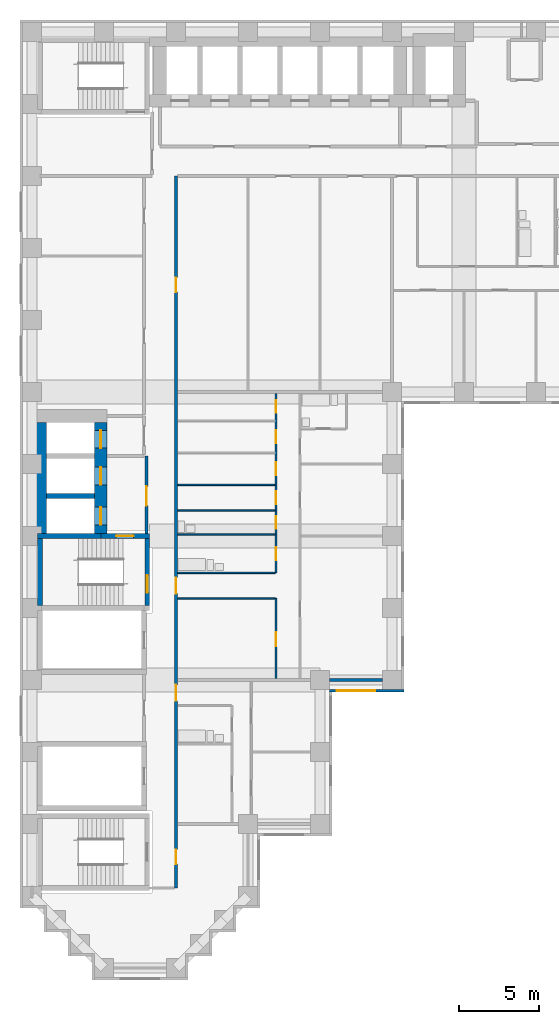
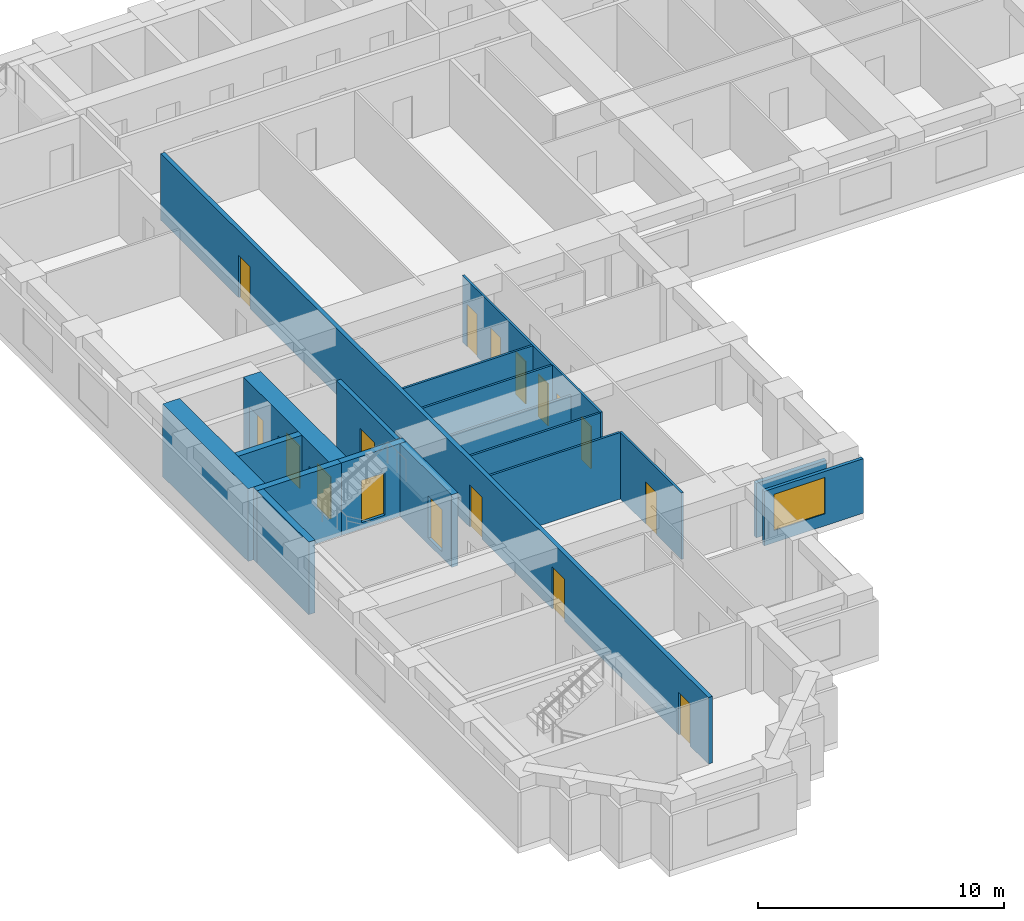
# One storey, part 3 of 12: 18 walls, 17 doors, 1 window, 18 openings.
"""IFC4 building model written with IfcOpenShell, lengths in metres."""

from ifc_helpers import new_model, si_unit, direction, frame, frame_2d, origin, place, context, subcontext, project, spatial, rectangle, extrude, material, layer, layer_set, type_object, element, fill, save


model = new_model("IFC4")

# Units and contexts
model_context = context("Model", 3, precision=1e-05, world=origin(), true_north=direction((0.0, 1.0)))
body_context = subcontext(model_context, "Body", "Model", "MODEL_VIEW")
ifc_project = project(units=[si_unit("LENGTHUNIT", "METRE"), si_unit("AREAUNIT", "SQUARE_METRE"), si_unit("VOLUMEUNIT", "CUBIC_METRE"), si_unit("PLANEANGLEUNIT", "RADIAN"), si_unit("MASSUNIT", "GRAM", prefix="KILO")], contexts=[model_context])

# Site, building, storey
site_placement = place(None, origin())
site = spatial("IfcSite", under=ifc_project, at=site_placement, CompositionType="ELEMENT")
building_placement = place(site_placement, origin())
building = spatial("IfcBuilding", under=site, at=building_placement, Name="Firuza Court", CompositionType="ELEMENT")
storey_placement = place(building_placement, frame((0.0, 0.0, 97.39990234375)))
storey = spatial("IfcBuildingStorey", under=building, at=storey_placement, Name="L24", CompositionType="ELEMENT", Elevation=97.39990234375)

# Walls
ifc_material_1 = material(Name="Moisture-resistant gypsum board partition")
ifc_layer_1 = layer(ifc_material_1, 0.10009765625)
ifc_layer_set_1 = layer_set([ifc_layer_1], Name="Moisture-resistant gypsum board partition")
wall_type_1 = type_object("IfcWallType", Name="Bathroom partition 100", PredefinedType="PLUMBINGWALL", material=ifc_layer_set_1)
wall_1_placement = place(storey_placement, frame((9.10009765625, 24.699951171875, 0.0), z_axis=(0.0, 0.0, 1.0), x_axis=(1.0, 0.0, 0.0)))
element("IfcWall", 1, at=wall_1_placement, inside=storey, type_object=wall_type_1, Name="Bathroom partition 100 L24", PredefinedType="PLUMBINGWALL", context=body_context, shape_type="SweptSolid", body=[
    extrude(rectangle(XDim=6.099853515625, YDim=0.10009765625, at=frame_2d((3.0498046875, 0.0))), origin(), (0.0, 0.0, 1.0), 3.300048828125),
])
wall_2_placement = place(storey_placement, frame((9.10009765625, 27.10009765625, 0.0), z_axis=(0.0, 0.0, 1.0), x_axis=(1.0, 0.0, 0.0)))
element("IfcWall", 2, at=wall_2_placement, inside=storey, type_object=wall_type_1, Name="Bathroom partition 100 L24", PredefinedType="PLUMBINGWALL", context=body_context, shape_type="SweptSolid", body=[
    extrude(rectangle(XDim=6.099853515625, YDim=0.10009765625, at=frame_2d((3.0498046875, 0.0))), origin(), (0.0, 0.0, 1.0), 2.7001953125),
])
wall_3_placement = place(storey_placement, frame((9.10009765625, 28.60009765625, 0.0), z_axis=(0.0, 0.0, 1.0), x_axis=(1.0, 0.0, 0.0)))
element("IfcWall", 3, at=wall_3_placement, inside=storey, type_object=wall_type_1, Name="Bathroom partition 100 L24", PredefinedType="PLUMBINGWALL", context=body_context, shape_type="SweptSolid", body=[
    extrude(rectangle(XDim=6.099853515625, YDim=0.10009765625, at=frame_2d((3.0498046875, 0.0))), origin(), (0.0, 0.0, 1.0), 3.300048828125),
])
ifc_material_2 = material(Name="Concrete C60/75", Category="concrete")
ifc_layer_2 = layer(ifc_material_2, 0.300048828125)
ifc_layer_set_2 = layer_set([ifc_layer_2], Name="Concrete C60/75")
wall_type_2 = type_object("IfcWallType", Name="Core wall 300 C60/75", PredefinedType="SHEAR", material=ifc_layer_set_2)
wall_4_placement = place(storey_placement, frame((0.35009765625, 27.0, -0.2998046875), z_axis=(0.0, 0.0, 1.0), x_axis=(1.0, 0.0, 0.0)))
element("IfcWall", 4, at=wall_4_placement, inside=storey, type_object=wall_type_2, Name="Core wall lift shaft L24", PredefinedType="SHEAR", context=body_context, shape_type="SweptSolid", body=[
    extrude(rectangle(XDim=3.949951171875, YDim=0.300048828125, at=frame_2d((1.97509765625, 0.0))), origin(), (0.0, 0.0, 1.0), 3.599853515625),
])
wall_5_placement = place(storey_placement, frame((0.5, 22.64990234375, -0.2998046875), z_axis=(0.0, 0.0, 1.0), x_axis=(0.0, 1.0, 0.0)))
element("IfcWall", 5, at=wall_5_placement, inside=storey, type_object=wall_type_2, Name="Core wall stair L24", PredefinedType="SHEAR", context=body_context, shape_type="SweptSolid", body=[
    extrude(rectangle(XDim=4.2001953125, YDim=0.300048828125, at=frame_2d((2.10009765625, 0.0))), origin(), (0.0, 0.0, 1.0), 3.599853515625),
])
wall_6_placement = place(storey_placement, frame((0.89990234375, 29.5, -0.2998046875), z_axis=(0.0, 0.0, 1.0), x_axis=(1.0, 0.0, 0.0)))
element("IfcWall", 6, at=wall_6_placement, inside=storey, type_object=wall_type_2, Name="Core wall lift shaft L24", PredefinedType="SHEAR", context=body_context, shape_type="SweptSolid", body=[
    extrude(rectangle(XDim=3.0, YDim=0.300048828125, at=frame_2d((1.5, 0.0))), origin(), (0.0, 0.0, 1.0), 3.599853515625),
])

# Wall, opening, door
wall_7_placement = place(storey_placement, frame((4.300048828125, 27.0, -0.2998046875), z_axis=(0.0, 0.0, 1.0), x_axis=(1.0, 0.0, 0.0)))
wall_7 = element("IfcWall", 7, at=wall_7_placement, inside=storey, type_object=wall_type_2, Name="Core wall stair L24", PredefinedType="SHEAR", context=body_context, shape_type="SweptSolid", body=[
    extrude(rectangle(XDim=3.050048828125, YDim=0.300048828125, at=frame_2d((1.52490234375, 0.0))), origin(), (0.0, 0.0, 1.0), 3.599853515625),
])
opening_1_placement = place(wall_7_placement, frame((0.949951171875, 0.0, 0.300048828125)))
opening_1 = element("IfcOpeningElement", 8, at=opening_1_placement, cuts=wall_7, Name="Opening D24014", PredefinedType="OPENING", context=body_context, shape_type="SweptSolid", body=[
    extrude(rectangle(XDim=1.10009765625, YDim=2.10009765625, at=frame_2d((0.550048828125, 1.050048828125))), frame((0.0, 0.162109375, 0.0), z_axis=(0.0, -1.0, 0.0), x_axis=(1.0, 0.0, 0.0)), (0.0, 0.0, 1.0), 0.323974609375),
])
ifc_material_3 = material(Name="Timber door leaf in hardwood frame", Category="wood")
door_type_1 = type_object("IfcDoorType", Name="Stair door 1100", OperationType="SINGLE_SWING_LEFT", PredefinedType="DOOR", material=ifc_material_3)
door_1_placement = place(opening_1_placement, frame((1.10009765625, 0.0, 0.0), z_axis=(0.0, 0.0, 1.0), x_axis=(-1.0, 0.0, 0.0)))
door_1 = element("IfcDoor", 9, at=door_1_placement, inside=storey, type_object=door_type_1, Name="Fire-fighting lobby door", OperationType="SINGLE_SWING_LEFT", OverallHeight=2.10009765625, OverallWidth=1.10009765625, PredefinedType="DOOR", context=body_context, shape_type="SweptSolid", body=[
    extrude(rectangle(XDim=1.10009765625, YDim=2.10009765625, at=frame_2d((0.550048828125, 1.050048828125))), frame((0.0, 0.02490234375, 0.0), z_axis=(0.0, -1.0, 0.0), x_axis=(1.0, 0.0, 0.0)), (0.0, 0.0, 1.0), 0.050048828125),
])
fill(opening_1, door_1)

wall_8_placement = place(storey_placement, frame((7.199951171875, 22.64990234375, -0.2998046875), z_axis=(0.0, 0.0, 1.0), x_axis=(0.0, 1.0, 0.0)))
wall_8 = element("IfcWall", 10, at=wall_8_placement, inside=storey, type_object=wall_type_2, Name="Core wall stair L24", PredefinedType="SHEAR", context=body_context, shape_type="SweptSolid", body=[
    extrude(rectangle(XDim=4.2001953125, YDim=0.300048828125, at=frame_2d((2.10009765625, 0.0))), origin(), (0.0, 0.0, 1.0), 3.599853515625),
])
opening_2_placement = place(wall_8_placement, frame((0.800048828125, 0.0, 0.300048828125)))
opening_2 = element("IfcOpeningElement", 11, at=opening_2_placement, cuts=wall_8, Name="Opening D24015", PredefinedType="OPENING", context=body_context, shape_type="SweptSolid", body=[
    extrude(rectangle(XDim=1.10009765625, YDim=2.10009765625, at=frame_2d((0.550048828125, 1.050048828125))), frame((0.0, 0.162109375, 0.0), z_axis=(0.0, -1.0, 0.0), x_axis=(1.0, 0.0, 0.0)), (0.0, 0.0, 1.0), 0.323974609375),
])
door_2_placement = place(opening_2_placement, origin())
door_2 = element("IfcDoor", 12, at=door_2_placement, inside=storey, type_object=door_type_1, Name="Stair door S2", OperationType="SINGLE_SWING_LEFT", OverallHeight=2.10009765625, OverallWidth=1.10009765625, PredefinedType="DOOR", context=body_context, shape_type="SweptSolid", body=[
    extrude(rectangle(XDim=1.10009765625, YDim=2.10009765625, at=frame_2d((0.550048828125, 1.050048828125))), frame((0.0, 0.02490234375, 0.0), z_axis=(0.0, -1.0, 0.0), x_axis=(1.0, 0.0, 0.0)), (0.0, 0.0, 1.0), 0.050048828125),
])
fill(opening_2, door_2)

# Wall
ifc_layer_3 = layer(ifc_material_2, 0.800048828125)
ifc_layer_set_3 = layer_set([ifc_layer_3], Name="Concrete C60/75")
wall_type_3 = type_object("IfcWallType", Name="Core wall 800 C60/75", PredefinedType="SHEAR", material=ifc_layer_set_3)
wall_9_placement = place(storey_placement, frame((0.5, 27.14990234375, -0.2998046875), z_axis=(0.0, 0.0, 1.0), x_axis=(0.0, 1.0, 0.0)))
element("IfcWall", 13, at=wall_9_placement, inside=storey, type_object=wall_type_3, Name="Core wall lift shaft L24", PredefinedType="SHEAR", context=body_context, shape_type="SweptSolid", body=[
    extrude(rectangle(XDim=6.9501953125, YDim=0.800048828125, at=frame_2d((3.47509765625, 0.0))), origin(), (0.0, 0.0, 1.0), 3.599853515625),
])

# Wall, openings, doors
wall_10_placement = place(storey_placement, frame((4.300048828125, 27.14990234375, -0.2998046875), z_axis=(0.0, 0.0, 1.0), x_axis=(0.0, 1.0, 0.0)))
wall_10 = element("IfcWall", 14, at=wall_10_placement, inside=storey, type_object=wall_type_3, Name="Core wall lift shaft L24", PredefinedType="SHEAR", context=body_context, shape_type="SweptSolid", body=[
    extrude(rectangle(XDim=6.9501953125, YDim=0.800048828125, at=frame_2d((3.47509765625, 0.0))), origin(), (0.0, 0.0, 1.0), 3.599853515625),
])
opening_3_placement = place(wall_10_placement, frame((3.050048828125, 0.0, 0.300048828125)))
opening_3 = element("IfcOpeningElement", 15, at=opening_3_placement, cuts=wall_10, Name="Opening LD-FL1-24", PredefinedType="OPENING", context=body_context, shape_type="SweptSolid", body=[
    extrude(rectangle(XDim=1.10009765625, YDim=2.10009765625, at=frame_2d((0.550048828125, 1.050048828125))), frame((0.0, 0.412109375, 0.0), z_axis=(0.0, -1.0, 0.0), x_axis=(1.0, 0.0, 0.0)), (0.0, 0.0, 1.0), 0.823974609375),
])
opening_4_placement = place(wall_10_placement, frame((0.550048828125, 0.0, 0.300048828125)))
opening_4 = element("IfcOpeningElement", 16, at=opening_4_placement, cuts=wall_10, Name="Opening LD-FL2-24", PredefinedType="OPENING", context=body_context, shape_type="SweptSolid", body=[
    extrude(rectangle(XDim=1.10009765625, YDim=2.10009765625, at=frame_2d((0.550048828125, 1.050048828125))), frame((0.0, 0.412109375, 0.0), z_axis=(0.0, -1.0, 0.0), x_axis=(1.0, 0.0, 0.0)), (0.0, 0.0, 1.0), 0.823974609375),
])
opening_5_placement = place(wall_10_placement, frame((5.35009765625, 0.0, 0.300048828125)))
opening_5 = element("IfcOpeningElement", 17, at=opening_5_placement, cuts=wall_10, Name="Opening LD-SL1-24", PredefinedType="OPENING", context=body_context, shape_type="SweptSolid", body=[
    extrude(rectangle(XDim=1.10009765625, YDim=2.10009765625, at=frame_2d((0.550048828125, 1.050048828125))), frame((0.0, 0.412109375, 0.0), z_axis=(0.0, -1.0, 0.0), x_axis=(1.0, 0.0, 0.0)), (0.0, 0.0, 1.0), 0.823974609375),
])
ifc_material_4 = material(Name="Stainless steel 1.4301 door leaf", Category="steel")
door_type_2 = type_object("IfcDoorType", Name="Lift landing door 1100", OperationType="SLIDING_TO_LEFT", PredefinedType="DOOR", material=ifc_material_4)
door_3_placement = place(opening_3_placement, origin())
door_3 = element("IfcDoor", 18, at=door_3_placement, inside=storey, type_object=door_type_2, Name="Landing door FL1", OperationType="SLIDING_TO_LEFT", OverallHeight=2.10009765625, OverallWidth=1.10009765625, PredefinedType="DOOR", context=body_context, shape_type="SweptSolid", body=[
    extrude(rectangle(XDim=1.10009765625, YDim=2.10009765625, at=frame_2d((0.550048828125, 1.050048828125))), frame((0.0, 0.02490234375, 0.0), z_axis=(0.0, -1.0, 0.0), x_axis=(1.0, 0.0, 0.0)), (0.0, 0.0, 1.0), 0.050048828125),
])
fill(opening_3, door_3)
door_4_placement = place(opening_4_placement, origin())
door_4 = element("IfcDoor", 19, at=door_4_placement, inside=storey, type_object=door_type_2, Name="Landing door FL2", OperationType="SLIDING_TO_LEFT", OverallHeight=2.10009765625, OverallWidth=1.10009765625, PredefinedType="DOOR", context=body_context, shape_type="SweptSolid", body=[
    extrude(rectangle(XDim=1.10009765625, YDim=2.10009765625, at=frame_2d((0.550048828125, 1.050048828125))), frame((0.0, 0.02490234375, 0.0), z_axis=(0.0, -1.0, 0.0), x_axis=(1.0, 0.0, 0.0)), (0.0, 0.0, 1.0), 0.050048828125),
])
fill(opening_4, door_4)
door_5_placement = place(opening_5_placement, origin())
door_5 = element("IfcDoor", 20, at=door_5_placement, inside=storey, type_object=door_type_2, Name="Landing door SL1", OperationType="SLIDING_TO_LEFT", OverallHeight=2.10009765625, OverallWidth=1.10009765625, PredefinedType="DOOR", context=body_context, shape_type="SweptSolid", body=[
    extrude(rectangle(XDim=1.10009765625, YDim=2.10009765625, at=frame_2d((0.550048828125, 1.050048828125))), frame((0.0, 0.02490234375, 0.0), z_axis=(0.0, -1.0, 0.0), x_axis=(1.0, 0.0, 0.0)), (0.0, 0.0, 1.0), 0.050048828125),
])
fill(opening_5, door_5)

ifc_material_5 = material(Name="Blockwork, plastered both sides", Category="masonry")
ifc_layer_4 = layer(ifc_material_5, 0.199951171875)
ifc_layer_set_4 = layer_set([ifc_layer_4], Name="Blockwork, plastered both sides")
wall_type_4 = type_object("IfcWallType", Name="Corridor wall 200", PredefinedType="PARTITIONING", material=ifc_layer_set_4)
wall_11_placement = place(storey_placement, frame((9.0, 5.0, 0.0), z_axis=(0.0, 0.0, 1.0), x_axis=(0.0, 1.0, 0.0)))
wall_11 = element("IfcWall", 21, at=wall_11_placement, inside=storey, type_object=wall_type_4, Name="Corridor wall 200 L24", PredefinedType="PARTITIONING", context=body_context, shape_type="SweptSolid", body=[
    extrude(rectangle(XDim=44.5, YDim=0.199951171875, at=frame_2d((22.25, 0.0))), origin(), (0.0, 0.0, 1.0), 3.300048828125),
])
opening_6_placement = place(wall_11_placement, frame((18.39990234375, 0.0, 0.0)))
opening_6 = element("IfcOpeningElement", 22, at=opening_6_placement, cuts=wall_11, Name="Opening D24019", PredefinedType="OPENING", context=body_context, shape_type="SweptSolid", body=[
    extrude(rectangle(XDim=1.0, YDim=2.10009765625, at=frame_2d((0.5, 1.050048828125))), frame((0.0, 0.11181640625, 0.0), z_axis=(0.0, -1.0, 0.0), x_axis=(1.0, 0.0, 0.0)), (0.0, 0.0, 1.0), 0.223876953125),
])
opening_7_placement = place(wall_11_placement, frame((11.699951171875, 0.0, 0.0)))
opening_7 = element("IfcOpeningElement", 23, at=opening_7_placement, cuts=wall_11, Name="Opening D24020", PredefinedType="OPENING", context=body_context, shape_type="SweptSolid", body=[
    extrude(rectangle(XDim=1.0, YDim=2.10009765625, at=frame_2d((0.5, 1.050048828125))), frame((0.0, 0.11181640625, 0.0), z_axis=(0.0, -1.0, 0.0), x_axis=(1.0, 0.0, 0.0)), (0.0, 0.0, 1.0), 0.223876953125),
])
opening_8_placement = place(wall_11_placement, frame((37.25, 0.0, 0.0)))
opening_8 = element("IfcOpeningElement", 24, at=opening_8_placement, cuts=wall_11, Name="Opening D24021", PredefinedType="OPENING", context=body_context, shape_type="SweptSolid", body=[
    extrude(rectangle(XDim=0.89990234375, YDim=2.10009765625, at=frame_2d((0.449951171875, 1.050048828125))), frame((0.0, 0.11181640625, 0.0), z_axis=(0.0, -1.0, 0.0), x_axis=(1.0, 0.0, 0.0)), (0.0, 0.0, 1.0), 0.223876953125),
])
opening_9_placement = place(wall_11_placement, frame((1.5, 0.0, 0.0)))
opening_9 = element("IfcOpeningElement", 25, at=opening_9_placement, cuts=wall_11, Name="Opening D24022", PredefinedType="OPENING", context=body_context, shape_type="SweptSolid", body=[
    extrude(rectangle(XDim=0.89990234375, YDim=2.10009765625, at=frame_2d((0.449951171875, 1.050048828125))), frame((0.0, 0.11181640625, 0.0), z_axis=(0.0, -1.0, 0.0), x_axis=(1.0, 0.0, 0.0)), (0.0, 0.0, 1.0), 0.223876953125),
])
ifc_material_6 = material(Name="Timber door leaf in hardwood frame", Category="wood")
door_type_3 = type_object("IfcDoorType", Name="Flat entrance door 1000", OperationType="SINGLE_SWING_LEFT", PredefinedType="DOOR", material=ifc_material_6)
door_6_placement = place(opening_6_placement, origin())
door_6 = element("IfcDoor", 26, at=door_6_placement, inside=storey, type_object=door_type_3, Name="Flat entrance door", OperationType="SINGLE_SWING_LEFT", OverallHeight=2.10009765625, OverallWidth=1.0, PredefinedType="DOOR", context=body_context, shape_type="SweptSolid", body=[
    extrude(rectangle(XDim=1.0, YDim=2.10009765625, at=frame_2d((0.5, 1.050048828125))), frame((0.0, 0.02490234375, 0.0), z_axis=(0.0, -1.0, 0.0), x_axis=(1.0, 0.0, 0.0)), (0.0, 0.0, 1.0), 0.050048828125),
])
fill(opening_6, door_6)
door_7_placement = place(opening_7_placement, origin())
door_7 = element("IfcDoor", 27, at=door_7_placement, inside=storey, type_object=door_type_3, Name="Flat entrance door", OperationType="SINGLE_SWING_LEFT", OverallHeight=2.10009765625, OverallWidth=1.0, PredefinedType="DOOR", context=body_context, shape_type="SweptSolid", body=[
    extrude(rectangle(XDim=1.0, YDim=2.10009765625, at=frame_2d((0.5, 1.050048828125))), frame((0.0, 0.02490234375, 0.0), z_axis=(0.0, -1.0, 0.0), x_axis=(1.0, 0.0, 0.0)), (0.0, 0.0, 1.0), 0.050048828125),
])
fill(opening_7, door_7)
ifc_material_7 = material(Name="Timber door leaf in hardwood frame", Category="wood")
door_type_4 = type_object("IfcDoorType", Name="Room door 900 EI 30", OperationType="SINGLE_SWING_LEFT", PredefinedType="DOOR", material=ifc_material_7)
door_8_placement = place(opening_8_placement, origin())
door_8 = element("IfcDoor", 28, at=door_8_placement, inside=storey, type_object=door_type_4, Name="Yoga studio door", OperationType="SINGLE_SWING_LEFT", OverallHeight=2.10009765625, OverallWidth=0.89990234375, PredefinedType="DOOR", context=body_context, shape_type="SweptSolid", body=[
    extrude(rectangle(XDim=0.89990234375, YDim=2.10009765625, at=frame_2d((0.449951171875, 1.050048828125))), frame((0.0, 0.02490234375, 0.0), z_axis=(0.0, -1.0, 0.0), x_axis=(1.0, 0.0, 0.0)), (0.0, 0.0, 1.0), 0.050048828125),
])
fill(opening_8, door_8)
door_9_placement = place(opening_9_placement, origin())
door_9 = element("IfcDoor", 29, at=door_9_placement, inside=storey, type_object=door_type_4, Name="Residents' lounge door", OperationType="SINGLE_SWING_LEFT", OverallHeight=2.10009765625, OverallWidth=0.89990234375, PredefinedType="DOOR", context=body_context, shape_type="SweptSolid", body=[
    extrude(rectangle(XDim=0.89990234375, YDim=2.10009765625, at=frame_2d((0.449951171875, 1.050048828125))), frame((0.0, 0.02490234375, 0.0), z_axis=(0.0, -1.0, 0.0), x_axis=(1.0, 0.0, 0.0)), (0.0, 0.0, 1.0), 0.050048828125),
])
fill(opening_9, door_9)

# Wall, opening, door
ifc_material_8 = material(Name="Timber stud partition, plasterboard both sides", Category="wood")
ifc_layer_5 = layer(ifc_material_8, 0.10009765625)
ifc_layer_set_5 = layer_set([ifc_layer_5], Name="Timber stud partition, plasterboard both sides")
wall_type_5 = type_object("IfcWallType", Name="Partition wall 100", PredefinedType="PARTITIONING", material=ifc_layer_set_5)
wall_12_placement = place(storey_placement, frame((15.25, 18.10009765625, 0.0), z_axis=(0.0, 0.0, 1.0), x_axis=(0.0, 1.0, 0.0)))
wall_12 = element("IfcWall", 30, at=wall_12_placement, inside=storey, type_object=wall_type_5, Name="Partition wall 100 L24", PredefinedType="PARTITIONING", context=body_context, shape_type="SweptSolid", body=[
    extrude(rectangle(XDim=5.0, YDim=0.10009765625, at=frame_2d((2.5, 0.0))), origin(), (0.0, 0.0, 1.0), 3.300048828125),
])
opening_10_placement = place(wall_12_placement, frame((2.0, 0.0, 0.0)))
opening_10 = element("IfcOpeningElement", 31, at=opening_10_placement, cuts=wall_12, Name="Opening D24028", PredefinedType="OPENING", context=body_context, shape_type="SweptSolid", body=[
    extrude(rectangle(XDim=0.89990234375, YDim=2.10009765625, at=frame_2d((0.449951171875, 1.050048828125))), frame((0.0, 0.06201171875, 0.0), z_axis=(0.0, -1.0, 0.0), x_axis=(1.0, 0.0, 0.0)), (0.0, 0.0, 1.0), 0.1240234375),
])
ifc_material_9 = material(Name="Timber door leaf in hardwood frame", Category="wood")
door_type_5 = type_object("IfcDoorType", Name="Room door 900", OperationType="SINGLE_SWING_LEFT", PredefinedType="DOOR", material=ifc_material_9)
door_10_placement = place(opening_10_placement, origin())
door_10 = element("IfcDoor", 32, at=door_10_placement, inside=storey, type_object=door_type_5, Name="Kitchen door", OperationType="SINGLE_SWING_LEFT", OverallHeight=2.10009765625, OverallWidth=0.89990234375, PredefinedType="DOOR", context=body_context, shape_type="SweptSolid", body=[
    extrude(rectangle(XDim=0.89990234375, YDim=2.10009765625, at=frame_2d((0.449951171875, 1.050048828125))), frame((0.0, 0.02490234375, 0.0), z_axis=(0.0, -1.0, 0.0), x_axis=(1.0, 0.0, 0.0)), (0.0, 0.0, 1.0), 0.050048828125),
])
fill(opening_10, door_10)

# Wall
wall_13_placement = place(storey_placement, frame((9.10009765625, 23.10009765625, 0.0), z_axis=(0.0, 0.0, 1.0), x_axis=(1.0, 0.0, 0.0)))
element("IfcWall", 33, at=wall_13_placement, inside=storey, type_object=wall_type_5, Name="Partition wall 100 L24", PredefinedType="PARTITIONING", context=body_context, shape_type="SweptSolid", body=[
    extrude(rectangle(XDim=6.099853515625, YDim=0.10009765625, at=frame_2d((3.0498046875, 0.0))), origin(), (0.0, 0.0, 1.0), 3.300048828125),
])

# Wall, openings, doors
wall_14_placement = place(storey_placement, frame((15.25, 24.699951171875, 0.0), z_axis=(0.0, 0.0, 1.0), x_axis=(0.0, 1.0, 0.0)))
wall_14 = element("IfcWall", 34, at=wall_14_placement, inside=storey, type_object=wall_type_5, Name="Partition wall 100 L24", PredefinedType="PARTITIONING", context=body_context, shape_type="SweptSolid", body=[
    extrude(rectangle(XDim=11.199951171875, YDim=0.10009765625, at=frame_2d((5.60009765625, 0.0))), origin(), (0.0, 0.0, 1.0), 3.300048828125),
])
opening_11_placement = place(wall_14_placement, frame((0.800048828125, 0.0, 0.0)))
opening_11 = element("IfcOpeningElement", 35, at=opening_11_placement, cuts=wall_14, Name="Opening D24032", PredefinedType="OPENING", context=body_context, shape_type="SweptSolid", body=[
    extrude(rectangle(XDim=0.800048828125, YDim=2.10009765625, at=frame_2d((0.39990234375, 1.050048828125))), frame((0.0, 0.06201171875, 0.0), z_axis=(0.0, -1.0, 0.0), x_axis=(1.0, 0.0, 0.0)), (0.0, 0.0, 1.0), 0.1240234375),
])
opening_12_placement = place(wall_14_placement, frame((8.10009765625, 0.0, 0.0)))
opening_12 = element("IfcOpeningElement", 36, at=opening_12_placement, cuts=wall_14, Name="Opening D24033", PredefinedType="OPENING", context=body_context, shape_type="SweptSolid", body=[
    extrude(rectangle(XDim=0.800048828125, YDim=2.10009765625, at=frame_2d((0.39990234375, 1.050048828125))), frame((0.0, 0.06201171875, 0.0), z_axis=(0.0, -1.0, 0.0), x_axis=(1.0, 0.0, 0.0)), (0.0, 0.0, 1.0), 0.1240234375),
])
opening_13_placement = place(wall_14_placement, frame((4.300048828125, 0.0, 0.0)))
opening_13 = element("IfcOpeningElement", 37, at=opening_13_placement, cuts=wall_14, Name="Opening D24034", PredefinedType="OPENING", context=body_context, shape_type="SweptSolid", body=[
    extrude(rectangle(XDim=0.800048828125, YDim=2.10009765625, at=frame_2d((0.39990234375, 1.050048828125))), frame((0.0, 0.06201171875, 0.0), z_axis=(0.0, -1.0, 0.0), x_axis=(1.0, 0.0, 0.0)), (0.0, 0.0, 1.0), 0.1240234375),
])
opening_14_placement = place(wall_14_placement, frame((6.10009765625, 0.0, 0.0)))
opening_14 = element("IfcOpeningElement", 38, at=opening_14_placement, cuts=wall_14, Name="Opening D24035", PredefinedType="OPENING", context=body_context, shape_type="SweptSolid", body=[
    extrude(rectangle(XDim=0.800048828125, YDim=2.10009765625, at=frame_2d((0.39990234375, 1.050048828125))), frame((0.0, 0.06201171875, 0.0), z_axis=(0.0, -1.0, 0.0), x_axis=(1.0, 0.0, 0.0)), (0.0, 0.0, 1.0), 0.1240234375),
])
opening_15_placement = place(wall_14_placement, frame((10.0, 0.0, 0.0)))
opening_15 = element("IfcOpeningElement", 39, at=opening_15_placement, cuts=wall_14, Name="Opening D24036", PredefinedType="OPENING", context=body_context, shape_type="SweptSolid", body=[
    extrude(rectangle(XDim=0.800048828125, YDim=2.10009765625, at=frame_2d((0.39990234375, 1.050048828125))), frame((0.0, 0.06201171875, 0.0), z_axis=(0.0, -1.0, 0.0), x_axis=(1.0, 0.0, 0.0)), (0.0, 0.0, 1.0), 0.1240234375),
])
opening_16_placement = place(wall_14_placement, frame((2.75, 0.0, 0.0)))
opening_16 = element("IfcOpeningElement", 40, at=opening_16_placement, cuts=wall_14, Name="Opening D24037", PredefinedType="OPENING", context=body_context, shape_type="SweptSolid", body=[
    extrude(rectangle(XDim=0.800048828125, YDim=2.10009765625, at=frame_2d((0.39990234375, 1.050048828125))), frame((0.0, 0.06201171875, 0.0), z_axis=(0.0, -1.0, 0.0), x_axis=(1.0, 0.0, 0.0)), (0.0, 0.0, 1.0), 0.1240234375),
])
ifc_material_10 = material(Name="Timber door leaf in hardwood frame", Category="wood")
door_type_6 = type_object("IfcDoorType", Name="Bathroom door 800", OperationType="SINGLE_SWING_LEFT", PredefinedType="DOOR", material=ifc_material_10)
door_11_placement = place(opening_11_placement, origin())
door_11 = element("IfcDoor", 41, at=door_11_placement, inside=storey, type_object=door_type_6, Name="Bathroom door", OperationType="SINGLE_SWING_LEFT", OverallHeight=2.10009765625, OverallWidth=0.800048828125, PredefinedType="DOOR", context=body_context, shape_type="SweptSolid", body=[
    extrude(rectangle(XDim=0.800048828125, YDim=2.10009765625, at=frame_2d((0.39990234375, 1.050048828125))), frame((0.0, 0.02490234375, 0.0), z_axis=(0.0, -1.0, 0.0), x_axis=(1.0, 0.0, 0.0)), (0.0, 0.0, 1.0), 0.050048828125),
])
fill(opening_11, door_11)
door_12_placement = place(opening_16_placement, origin())
door_12 = element("IfcDoor", 42, at=door_12_placement, inside=storey, type_object=door_type_6, Name="Powder room door", OperationType="SINGLE_SWING_LEFT", OverallHeight=2.10009765625, OverallWidth=0.800048828125, PredefinedType="DOOR", context=body_context, shape_type="SweptSolid", body=[
    extrude(rectangle(XDim=0.800048828125, YDim=2.10009765625, at=frame_2d((0.39990234375, 1.050048828125))), frame((0.0, 0.02490234375, 0.0), z_axis=(0.0, -1.0, 0.0), x_axis=(1.0, 0.0, 0.0)), (0.0, 0.0, 1.0), 0.050048828125),
])
fill(opening_16, door_12)
ifc_material_11 = material(Name="Timber door leaf in hardwood frame", Category="wood")
door_type_7 = type_object("IfcDoorType", Name="Room door 800", OperationType="SINGLE_SWING_LEFT", PredefinedType="DOOR", material=ifc_material_11)
door_13_placement = place(opening_12_placement, origin())
door_13 = element("IfcDoor", 43, at=door_13_placement, inside=storey, type_object=door_type_7, Name="Pantry door", OperationType="SINGLE_SWING_LEFT", OverallHeight=2.10009765625, OverallWidth=0.800048828125, PredefinedType="DOOR", context=body_context, shape_type="SweptSolid", body=[
    extrude(rectangle(XDim=0.800048828125, YDim=2.10009765625, at=frame_2d((0.39990234375, 1.050048828125))), frame((0.0, 0.02490234375, 0.0), z_axis=(0.0, -1.0, 0.0), x_axis=(1.0, 0.0, 0.0)), (0.0, 0.0, 1.0), 0.050048828125),
])
fill(opening_12, door_13)
door_14_placement = place(opening_13_placement, origin())
door_14 = element("IfcDoor", 44, at=door_14_placement, inside=storey, type_object=door_type_7, Name="Store door", OperationType="SINGLE_SWING_LEFT", OverallHeight=2.10009765625, OverallWidth=0.800048828125, PredefinedType="DOOR", context=body_context, shape_type="SweptSolid", body=[
    extrude(rectangle(XDim=0.800048828125, YDim=2.10009765625, at=frame_2d((0.39990234375, 1.050048828125))), frame((0.0, 0.02490234375, 0.0), z_axis=(0.0, -1.0, 0.0), x_axis=(1.0, 0.0, 0.0)), (0.0, 0.0, 1.0), 0.050048828125),
])
fill(opening_13, door_14)
door_15_placement = place(opening_14_placement, origin())
door_15 = element("IfcDoor", 45, at=door_15_placement, inside=storey, type_object=door_type_7, Name="Utility room door", OperationType="SINGLE_SWING_LEFT", OverallHeight=2.10009765625, OverallWidth=0.800048828125, PredefinedType="DOOR", context=body_context, shape_type="SweptSolid", body=[
    extrude(rectangle(XDim=0.800048828125, YDim=2.10009765625, at=frame_2d((0.39990234375, 1.050048828125))), frame((0.0, 0.02490234375, 0.0), z_axis=(0.0, -1.0, 0.0), x_axis=(1.0, 0.0, 0.0)), (0.0, 0.0, 1.0), 0.050048828125),
])
fill(opening_14, door_15)
door_16_placement = place(opening_15_placement, origin())
door_16 = element("IfcDoor", 46, at=door_16_placement, inside=storey, type_object=door_type_7, Name="Walk-in wardrobe door", OperationType="SINGLE_SWING_LEFT", OverallHeight=2.10009765625, OverallWidth=0.800048828125, PredefinedType="DOOR", context=body_context, shape_type="SweptSolid", body=[
    extrude(rectangle(XDim=0.800048828125, YDim=2.10009765625, at=frame_2d((0.39990234375, 1.050048828125))), frame((0.0, 0.02490234375, 0.0), z_axis=(0.0, -1.0, 0.0), x_axis=(1.0, 0.0, 0.0)), (0.0, 0.0, 1.0), 0.050048828125),
])
fill(opening_15, door_16)

# Walls
wall_15_placement = place(storey_placement, frame((9.10009765625, 30.199951171875, 0.0), z_axis=(0.0, 0.0, 1.0), x_axis=(1.0, 0.0, 0.0)))
element("IfcWall", 47, at=wall_15_placement, inside=storey, type_object=wall_type_5, Name="Partition wall 100 L24", PredefinedType="PARTITIONING", context=body_context, shape_type="SweptSolid", body=[
    extrude(rectangle(XDim=6.099853515625, YDim=0.10009765625, at=frame_2d((3.0498046875, 0.0))), origin(), (0.0, 0.0, 1.0), 3.300048828125),
])
ifc_layer_6 = layer(ifc_material_5, 0.199951171875)
ifc_layer_set_6 = layer_set([ifc_layer_6], Name="Blockwork, plastered both sides")
wall_type_6 = type_object("IfcWallType", Name="Party wall 200", PredefinedType="PARTITIONING", material=ifc_layer_set_6)
wall_16_placement = place(storey_placement, frame((18.60009765625, 18.0, 0.0), z_axis=(0.0, 0.0, 1.0), x_axis=(1.0, 0.0, 0.0)))
element("IfcWall", 48, at=wall_16_placement, inside=storey, type_object=wall_type_6, Name="Party wall 200 L24", PredefinedType="PARTITIONING", context=body_context, shape_type="SweptSolid", body=[
    extrude(rectangle(XDim=3.2998046875, YDim=0.199951171875, at=frame_2d((1.64990234375, 0.0))), origin(), (0.0, 0.0, 1.0), 2.7001953125),
])

# Wall, opening, window
ifc_material_12 = material(Name="Ceramic tile", Category="ceramic")
ifc_layer_7 = layer(ifc_material_12, 0.02001953125)
ifc_material_13 = material(Name="Mineral wool insulation", Category="insulation")
ifc_layer_8 = layer(ifc_material_13, 0.050048828125)
ifc_material_14 = material(Name="Concrete C40/50 precast", Category="concrete")
ifc_layer_9 = layer(ifc_material_14, 0.080078125)
ifc_layer_set_7 = layer_set([ifc_layer_7, ifc_layer_8, ifc_layer_9], Name="Concrete C40/50 precast")
wall_type_7 = type_object("IfcWallType", Name="Precast cladding wall with turquoise TILE PANEL face 150", PredefinedType="STANDARD", material=ifc_layer_set_7)
wall_17_placement = place(storey_placement, frame((18.60009765625, 17.324951171875, 0.0), z_axis=(0.0, 0.0, 1.0), x_axis=(1.0, 0.0, 0.0)))
wall_17 = element("IfcWall", 49, at=wall_17_placement, inside=storey, type_object=wall_type_7, Name="Facade wall L24 S", PredefinedType="STANDARD", context=body_context, shape_type="SweptSolid", body=[
    extrude(rectangle(XDim=4.64990234375, YDim=0.14990234375, at=frame_2d((2.324951171875, 0.0))), origin(), (0.0, 0.0, 1.0), 2.7001953125),
])
opening_17_placement = place(wall_17_placement, frame((0.449951171875, 0.0, 0.60009765625)))
opening_17 = element("IfcOpeningElement", 50, at=opening_17_placement, cuts=wall_17, Name="Opening W1", PredefinedType="OPENING", context=body_context, shape_type="SweptSolid", body=[
    extrude(rectangle(XDim=2.39990234375, YDim=1.800048828125, at=frame_2d((1.199951171875, 0.89990234375))), frame((0.0, 0.0869140625, 0.0), z_axis=(0.0, -1.0, 0.0), x_axis=(1.0, 0.0, 0.0)), (0.0, 0.0, 1.0), 0.173828125),
])
ifc_material_15 = material(Name="Aluminium frame, triple clear glazing", Category="aluminium")
window_type = type_object("IfcWindowType", Name="Window W1 2400 x 1800", PartitioningType="SINGLE_PANEL", PredefinedType="WINDOW", material=ifc_material_15)
window_placement = place(opening_17_placement, origin())
window = element("IfcWindow", 51, at=window_placement, inside=storey, type_object=window_type, Name="Window L24", OverallHeight=1.800048828125, OverallWidth=2.39990234375, PartitioningType="SINGLE_PANEL", PredefinedType="WINDOW", context=body_context, shape_type="SweptSolid", body=[
    extrude(rectangle(XDim=2.39990234375, YDim=1.800048828125, at=frame_2d((1.199951171875, 0.89990234375))), frame((0.0, 0.030029296875, 0.0), z_axis=(0.0, -1.0, 0.0), x_axis=(1.0, 0.0, 0.0)), (0.0, 0.0, 1.0), 0.06005859375),
])
fill(opening_17, window)

# Wall, opening, door
ifc_material_16 = material(Name="Blockwork, fire-rated", Category="masonry")
ifc_layer_10 = layer(ifc_material_16, 0.199951171875)
ifc_layer_set_8 = layer_set([ifc_layer_10], Name="Blockwork, fire-rated")
wall_type_8 = type_object("IfcWallType", Name="Shaft wall 200", PredefinedType="PARTITIONING", material=ifc_layer_set_8)
wall_18_placement = place(storey_placement, frame((7.14990234375, 27.169921875, 0.0), z_axis=(0.0, 0.0, 1.0), x_axis=(0.0, 1.0, 0.0)))
wall_18 = element("IfcWall", 52, at=wall_18_placement, inside=storey, type_object=wall_type_8, Name="Shaft wall 200 L24", PredefinedType="PARTITIONING", context=body_context, shape_type="SweptSolid", body=[
    extrude(rectangle(XDim=4.830078125, YDim=0.199951171875, at=frame_2d((2.4150390625, 0.0))), origin(), (0.0, 0.0, 1.0), 3.300048828125),
])
opening_18_placement = place(wall_18_placement, frame((1.72998046875, 0.0, 0.0)))
opening_18 = element("IfcOpeningElement", 53, at=opening_18_placement, cuts=wall_18, Name="Opening D24002", PredefinedType="OPENING", context=body_context, shape_type="SweptSolid", body=[
    extrude(rectangle(XDim=1.199951171875, YDim=2.10009765625, at=frame_2d((0.60009765625, 1.050048828125))), frame((0.0, 0.11181640625, 0.0), z_axis=(0.0, -1.0, 0.0), x_axis=(1.0, 0.0, 0.0)), (0.0, 0.0, 1.0), 0.223876953125),
])
ifc_material_17 = material(Name="Timber door leaf in hardwood frame", Category="wood")
door_type_8 = type_object("IfcDoorType", Name="Lobby door 1200", OperationType="SINGLE_SWING_LEFT", PredefinedType="DOOR", material=ifc_material_17)
door_17_placement = place(opening_18_placement, origin())
door_17 = element("IfcDoor", 54, at=door_17_placement, inside=storey, type_object=door_type_8, Name="Fire-fighting lobby door", OperationType="SINGLE_SWING_LEFT", OverallHeight=2.10009765625, OverallWidth=1.199951171875, PredefinedType="DOOR", context=body_context, shape_type="SweptSolid", body=[
    extrude(rectangle(XDim=1.199951171875, YDim=2.10009765625, at=frame_2d((0.60009765625, 1.050048828125))), frame((0.0, 0.02490234375, 0.0), z_axis=(0.0, -1.0, 0.0), x_axis=(1.0, 0.0, 0.0)), (0.0, 0.0, 1.0), 0.050048828125),
])
fill(opening_18, door_17)

save(model, "model.ifc")
